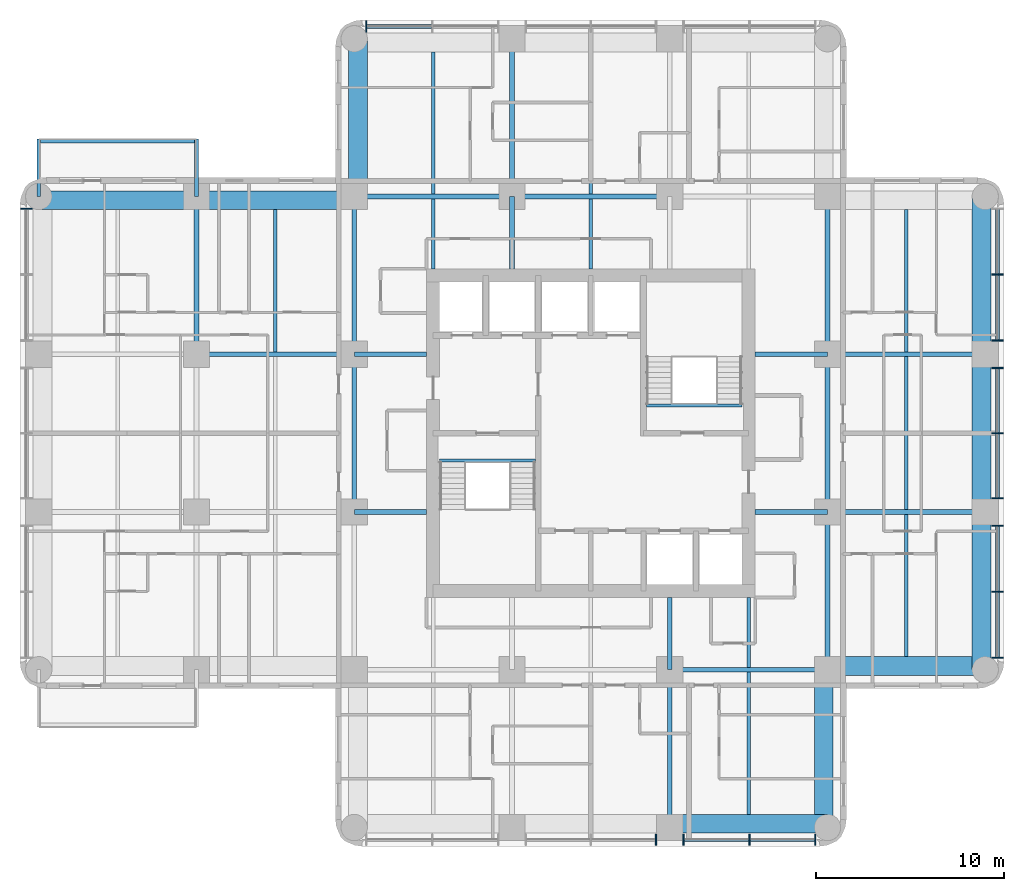
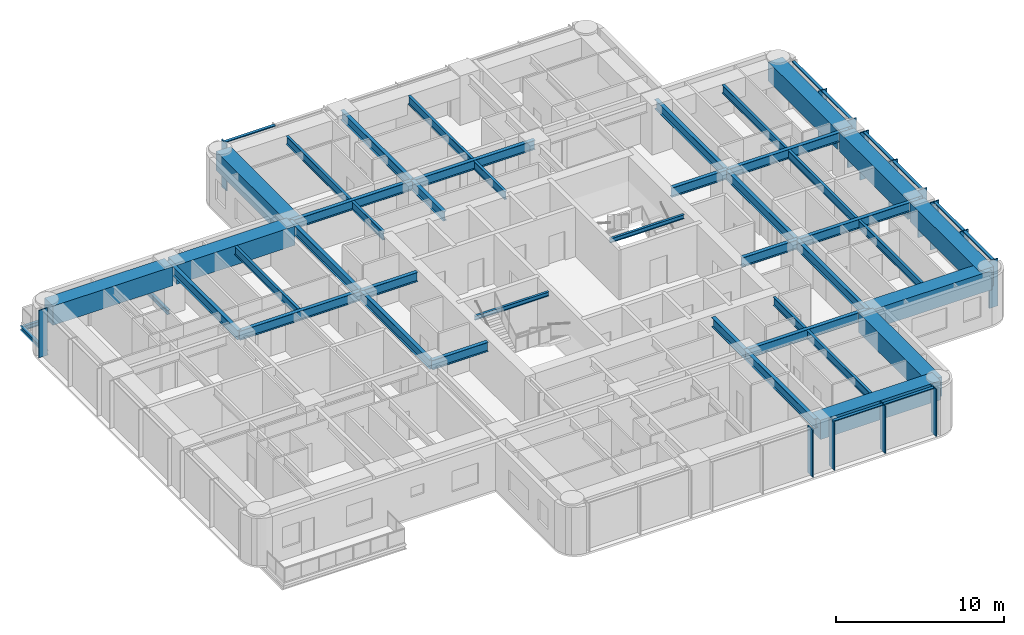
# One storey, part 2 of 11: 44 beams, 23 members, 4 elements without a shape of their own.
"""IFC4 building model written with IfcOpenShell, lengths in metres."""

from ifc_helpers import new_model, si_unit, direction, frame, origin, origin_2d, place, context, subcontext, project, spatial, rectangle, i_section, extrude, material, material_profile, profile_set, type_object, element, aggregate, save


model = new_model("IFC4")

# Units and contexts
model_context = context("Model", 3, precision=1e-05, world=origin(), true_north=direction((0.0, 1.0)))
body_context = subcontext(model_context, "Body", "Model", "MODEL_VIEW")
ifc_project = project(units=[si_unit("LENGTHUNIT", "METRE"), si_unit("AREAUNIT", "SQUARE_METRE"), si_unit("VOLUMEUNIT", "CUBIC_METRE"), si_unit("PLANEANGLEUNIT", "RADIAN"), si_unit("MASSUNIT", "GRAM", prefix="KILO")], contexts=[model_context])

# Site, building, storey
site_placement = place(None, origin())
site = spatial("IfcSite", under=ifc_project, at=site_placement, CompositionType="ELEMENT")
building_placement = place(site_placement, origin())
building = spatial("IfcBuilding", under=site, at=building_placement, Name="Torre Alcanfor", CompositionType="ELEMENT")
storey_placement = place(building_placement, frame((0.0, 0.0, 201.300048828125)))
storey = spatial("IfcBuildingStorey", under=building, at=storey_placement, Name="L52", CompositionType="ELEMENT", Elevation=201.300048828125)

# Beams
ifc_material_1 = material(Name="Steel ASTM A992 Grade 50", Category="steel")
ifc_material_profile_1 = material_profile(ifc_material_1, i_section(OverallWidth=0.205322265625, OverallDepth=0.309814453125, WebThickness=0.00927734375, FlangeThickness=0.016357421875, at=origin_2d()), Name="W12x50")
ifc_profile_set_1 = profile_set([ifc_material_profile_1], Name="Steel ASTM A992 Grade 50")
beam_type_1 = type_object("IfcBeamType", Name="Balcony cantilever beam W12x50", PredefinedType="BEAM", material=ifc_profile_set_1)
for number, where, z_axis, x_axis, name in (
    (1, (8.39990234375, 42.0, -0.35498046875), (0.0, 1.0, 0.0), (-1.0, 0.0, 0.0), "Balcony cantilever beam L52-W2 1"),
    (2, (0.0, 42.0, -0.35498046875), (0.0, 1.0, 0.0), (-1.0, 0.0, 0.0), "Balcony cantilever beam L52-W2 2"),
):
    element("IfcBeam", number, at=place(storey_placement, frame(where, z_axis=z_axis, x_axis=x_axis)), inside=storey, type_object=beam_type_1, Name=name, PredefinedType="BEAM", context=body_context, shape_type="SweptSolid", body=[
        extrude(i_section(OverallWidth=0.205322265625, OverallDepth=0.309814453125, WebThickness=0.00927734375, FlangeThickness=0.016357421875, at=origin_2d()), origin(), (0.0, 0.0, 1.0), 3.050048828125),
    ])
ifc_material_2 = material(Name="Steel ASTM A992 Grade 50", Category="steel")
ifc_material_profile_2 = material_profile(ifc_material_2, i_section(OverallWidth=0.203369140625, OverallDepth=0.30224609375, WebThickness=0.007568359375, FlangeThickness=0.01318359375, at=origin_2d()), Name="W12x40")
ifc_profile_set_2 = profile_set([ifc_material_profile_2], Name="Steel ASTM A992 Grade 50")
beam_type_2 = type_object("IfcBeamType", Name="Balcony edge trimmer W12x40", PredefinedType="BEAM", material=ifc_profile_set_2)
beam_1_placement = place(storey_placement, frame((8.39990234375, 44.9482421875, -0.35107421875), z_axis=(-1.0, 0.0, 0.0), x_axis=(0.0, -1.0, 0.0)))
element("IfcBeam", 3, at=beam_1_placement, inside=storey, type_object=beam_type_2, Name="Balcony edge trimmer L52-W2", PredefinedType="BEAM", context=body_context, shape_type="SweptSolid", body=[
    extrude(i_section(OverallWidth=0.203369140625, OverallDepth=0.30224609375, WebThickness=0.007568359375, FlangeThickness=0.01318359375, at=origin_2d()), origin(), (0.0, 0.0, 1.0), 8.39990234375),
])

# Curtain wall, member
ifc_material_3 = material(Name="Aluminium and glass", Category="aluminium")
curtain_wall_type = type_object("IfcCurtainWallType", Name="CW-A unitised apartment glazing with vertical FIN", PredefinedType="NOTDEFINED", material=ifc_material_3)
curtain_wall_1_placement = place(storey_placement, origin())
curtain_wall_1 = element("IfcCurtainWall", 4, at=curtain_wall_1_placement, inside=storey, type_object=curtain_wall_type, Name="Curtain wall CW-A L52 2", PredefinedType="NOTDEFINED")
ifc_material_4 = material(Name="Bronze anodised aluminium", Category="aluminium")
ifc_material_profile_3 = material_profile(ifc_material_4, rectangle(XDim=0.60009765625, YDim=0.06494140625, at=origin_2d()), Name="CW-A mullion 65x600")
ifc_profile_set_3 = profile_set([ifc_material_profile_3], Name="Bronze anodised aluminium")
member_type_1 = type_object("IfcMemberType", Name="CW-A mullion with vertical FIN 65x600", PredefinedType="MULLION", material=ifc_profile_set_3)
member_1_placement = place(storey_placement, frame((-0.64990234375, 41.35546875, 0.0), z_axis=(0.0, 0.0, 1.0), x_axis=(1.0, 0.0, 0.0)))
member_1 = element("IfcMember", 5, at=member_1_placement, type_object=member_type_1, Name="CW-A mullion 1.1", PredefinedType="MULLION", context=body_context, shape_type="SweptSolid", body=[
    extrude(rectangle(XDim=0.60009765625, YDim=0.06494140625, at=origin_2d()), origin(), (0.0, 0.0, 1.0), 3.449951171875),
])
aggregate(curtain_wall_1, [member_1])

# Curtain wall, members
curtain_wall_2_placement = place(storey_placement, origin())
curtain_wall_2 = element("IfcCurtainWall", 6, at=curtain_wall_2_placement, inside=storey, type_object=curtain_wall_type, Name="Curtain wall CW-A L52 5", PredefinedType="NOTDEFINED")
member_2_placement = place(storey_placement, frame((32.862548828125, 7.75, 0.0), z_axis=(0.0, 0.0, 1.0), x_axis=(0.0, 1.0, 0.0)))
member_2 = element("IfcMember", 7, at=member_2_placement, type_object=member_type_1, Name="CW-A mullion 2.3", PredefinedType="MULLION", context=body_context, shape_type="SweptSolid", body=[
    extrude(rectangle(XDim=0.60009765625, YDim=0.06494140625, at=origin_2d()), origin(), (0.0, 0.0, 1.0), 3.449951171875),
])
member_3_placement = place(storey_placement, frame((34.33740234375, 7.75, 0.0), z_axis=(0.0, 0.0, 1.0), x_axis=(0.0, 1.0, 0.0)))
member_3 = element("IfcMember", 8, at=member_3_placement, type_object=member_type_1, Name="CW-A mullion 3.1", PredefinedType="MULLION", context=body_context, shape_type="SweptSolid", body=[
    extrude(rectangle(XDim=0.60009765625, YDim=0.06494140625, at=origin_2d()), origin(), (0.0, 0.0, 1.0), 3.449951171875),
])
member_4_placement = place(storey_placement, frame((37.846435546875, 7.75, 0.0), z_axis=(0.0, 0.0, 1.0), x_axis=(0.0, 1.0, 0.0)))
member_4 = element("IfcMember", 9, at=member_4_placement, type_object=member_type_1, Name="CW-A mullion 3.2", PredefinedType="MULLION", context=body_context, shape_type="SweptSolid", body=[
    extrude(rectangle(XDim=0.60009765625, YDim=0.06494140625, at=origin_2d()), origin(), (0.0, 0.0, 1.0), 3.449951171875),
])
member_5_placement = place(storey_placement, frame((41.35546875, 7.75, 0.0), z_axis=(0.0, 0.0, 1.0), x_axis=(0.0, 1.0, 0.0)))
member_5 = element("IfcMember", 10, at=member_5_placement, type_object=member_type_1, Name="CW-A mullion 3.3", PredefinedType="MULLION", context=body_context, shape_type="SweptSolid", body=[
    extrude(rectangle(XDim=0.60009765625, YDim=0.06494140625, at=origin_2d()), origin(), (0.0, 0.0, 1.0), 3.449951171875),
])

curtain_wall_3_placement = place(storey_placement, origin())
curtain_wall_3 = element("IfcCurtainWall", 11, at=curtain_wall_3_placement, inside=storey, type_object=curtain_wall_type, Name="Curtain wall CW-A L52 8", PredefinedType="NOTDEFINED")
member_6_placement = place(storey_placement, frame((51.050048828125, 17.444580078125, 0.0), z_axis=(0.0, 0.0, 1.0), x_axis=(-1.0, 0.0, 0.0)))
member_6 = element("IfcMember", 12, at=member_6_placement, type_object=member_type_1, Name="CW-A mullion 1.1", PredefinedType="MULLION", context=body_context, shape_type="SweptSolid", body=[
    extrude(rectangle(XDim=0.60009765625, YDim=0.06494140625, at=origin_2d()), origin(), (0.0, 0.0, 1.0), 3.449951171875),
])
member_7_placement = place(storey_placement, frame((51.050048828125, 20.95361328125, 0.0), z_axis=(0.0, 0.0, 1.0), x_axis=(-1.0, 0.0, 0.0)))
member_7 = element("IfcMember", 13, at=member_7_placement, type_object=member_type_1, Name="CW-A mullion 1.2", PredefinedType="MULLION", context=body_context, shape_type="SweptSolid", body=[
    extrude(rectangle(XDim=0.60009765625, YDim=0.06494140625, at=origin_2d()), origin(), (0.0, 0.0, 1.0), 3.449951171875),
])
member_8_placement = place(storey_placement, frame((51.050048828125, 24.46240234375, 0.0), z_axis=(0.0, 0.0, 1.0), x_axis=(-1.0, 0.0, 0.0)))
member_8 = element("IfcMember", 14, at=member_8_placement, type_object=member_type_1, Name="CW-A mullion 1.3", PredefinedType="MULLION", context=body_context, shape_type="SweptSolid", body=[
    extrude(rectangle(XDim=0.60009765625, YDim=0.06494140625, at=origin_2d()), origin(), (0.0, 0.0, 1.0), 3.449951171875),
])
member_9_placement = place(storey_placement, frame((51.050048828125, 25.9375, 0.0), z_axis=(0.0, 0.0, 1.0), x_axis=(-1.0, 0.0, 0.0)))
member_9 = element("IfcMember", 15, at=member_9_placement, type_object=member_type_1, Name="CW-A mullion 2.1", PredefinedType="MULLION", context=body_context, shape_type="SweptSolid", body=[
    extrude(rectangle(XDim=0.60009765625, YDim=0.06494140625, at=origin_2d()), origin(), (0.0, 0.0, 1.0), 3.449951171875),
])
member_10_placement = place(storey_placement, frame((51.050048828125, 29.39990234375, 0.0), z_axis=(0.0, 0.0, 1.0), x_axis=(-1.0, 0.0, 0.0)))
member_10 = element("IfcMember", 16, at=member_10_placement, type_object=member_type_1, Name="CW-A mullion 2.2", PredefinedType="MULLION", context=body_context, shape_type="SweptSolid", body=[
    extrude(rectangle(XDim=0.60009765625, YDim=0.06494140625, at=origin_2d()), origin(), (0.0, 0.0, 1.0), 3.449951171875),
])
member_11_placement = place(storey_placement, frame((51.050048828125, 32.862548828125, 0.0), z_axis=(0.0, 0.0, 1.0), x_axis=(-1.0, 0.0, 0.0)))
member_11 = element("IfcMember", 17, at=member_11_placement, type_object=member_type_1, Name="CW-A mullion 2.3", PredefinedType="MULLION", context=body_context, shape_type="SweptSolid", body=[
    extrude(rectangle(XDim=0.60009765625, YDim=0.06494140625, at=origin_2d()), origin(), (0.0, 0.0, 1.0), 3.449951171875),
])
member_12_placement = place(storey_placement, frame((51.050048828125, 34.33740234375, 0.0), z_axis=(0.0, 0.0, 1.0), x_axis=(-1.0, 0.0, 0.0)))
member_12 = element("IfcMember", 18, at=member_12_placement, type_object=member_type_1, Name="CW-A mullion 3.1", PredefinedType="MULLION", context=body_context, shape_type="SweptSolid", body=[
    extrude(rectangle(XDim=0.60009765625, YDim=0.06494140625, at=origin_2d()), origin(), (0.0, 0.0, 1.0), 3.449951171875),
])
member_13_placement = place(storey_placement, frame((51.050048828125, 37.846435546875, 0.0), z_axis=(0.0, 0.0, 1.0), x_axis=(-1.0, 0.0, 0.0)))
member_13 = element("IfcMember", 19, at=member_13_placement, type_object=member_type_1, Name="CW-A mullion 3.2", PredefinedType="MULLION", context=body_context, shape_type="SweptSolid", body=[
    extrude(rectangle(XDim=0.60009765625, YDim=0.06494140625, at=origin_2d()), origin(), (0.0, 0.0, 1.0), 3.449951171875),
])

# Curtain wall, member
curtain_wall_4_placement = place(storey_placement, origin())
curtain_wall_4 = element("IfcCurtainWall", 20, at=curtain_wall_4_placement, inside=storey, type_object=curtain_wall_type, Name="Curtain wall CW-A L52 11", PredefinedType="NOTDEFINED")
member_14_placement = place(storey_placement, frame((17.444580078125, 51.050048828125, 0.0), z_axis=(0.0, 0.0, 1.0), x_axis=(0.0, -1.0, 0.0)))
member_14 = element("IfcMember", 21, at=member_14_placement, type_object=member_type_1, Name="CW-A mullion 3.3", PredefinedType="MULLION", context=body_context, shape_type="SweptSolid", body=[
    extrude(rectangle(XDim=0.60009765625, YDim=0.06494140625, at=origin_2d()), origin(), (0.0, 0.0, 1.0), 3.449951171875),
])

# Member
ifc_material_5 = material(Name="Extruded aluminium", Category="aluminium")
ifc_material_profile_4 = material_profile(ifc_material_5, rectangle(XDim=0.199951171875, YDim=0.06494140625, at=origin_2d()), Name="CW-A transom 200x65")
ifc_profile_set_4 = profile_set([ifc_material_profile_4], Name="Extruded aluminium")
member_type_2 = type_object("IfcMemberType", Name="CW-A transom 65x200", PredefinedType="USERDEFINED", material=ifc_profile_set_4)
member_15_placement = place(storey_placement, frame((34.3701171875, 7.75, 3.41748046875), z_axis=(1.0, 0.0, 0.0), x_axis=(0.0, 1.0, 0.0)))
member_15 = element("IfcMember", 22, at=member_15_placement, type_object=member_type_2, Name="CW-A transom 3.1.2", ObjectType="TRANSOM", PredefinedType="USERDEFINED", context=body_context, shape_type="SweptSolid", body=[
    extrude(rectangle(XDim=0.199951171875, YDim=0.06494140625, at=origin_2d()), origin(), (0.0, 0.0, 1.0), 3.44384765625),
])

member_16_placement = place(storey_placement, frame((37.87890625, 7.75, 3.41748046875), z_axis=(1.0, 0.0, 0.0), x_axis=(0.0, 1.0, 0.0)))
member_16 = element("IfcMember", 23, at=member_16_placement, type_object=member_type_2, Name="CW-A transom 3.2.2", ObjectType="TRANSOM", PredefinedType="USERDEFINED", context=body_context, shape_type="SweptSolid", body=[
    extrude(rectangle(XDim=0.199951171875, YDim=0.06494140625, at=origin_2d()), origin(), (0.0, 0.0, 1.0), 3.444091796875),
])

aggregate(curtain_wall_2, [member_2, member_3, member_4, member_5, member_15, member_16])

member_17_placement = place(storey_placement, frame((51.050048828125, 17.47705078125, 3.41748046875), z_axis=(0.0, 1.0, 0.0), x_axis=(-1.0, 0.0, 0.0)))
member_17 = element("IfcMember", 24, at=member_17_placement, type_object=member_type_2, Name="CW-A transom 1.1.2", ObjectType="TRANSOM", PredefinedType="USERDEFINED", context=body_context, shape_type="SweptSolid", body=[
    extrude(rectangle(XDim=0.199951171875, YDim=0.06494140625, at=origin_2d()), origin(), (0.0, 0.0, 1.0), 3.44384765625),
])

member_18_placement = place(storey_placement, frame((51.050048828125, 20.986083984375, 3.41748046875), z_axis=(0.0, 1.0, 0.0), x_axis=(-1.0, 0.0, 0.0)))
member_18 = element("IfcMember", 25, at=member_18_placement, type_object=member_type_2, Name="CW-A transom 1.2.2", ObjectType="TRANSOM", PredefinedType="USERDEFINED", context=body_context, shape_type="SweptSolid", body=[
    extrude(rectangle(XDim=0.199951171875, YDim=0.06494140625, at=origin_2d()), origin(), (0.0, 0.0, 1.0), 3.44384765625),
])

member_19_placement = place(storey_placement, frame((51.050048828125, 25.969970703125, 3.41748046875), z_axis=(0.0, 1.0, 0.0), x_axis=(-1.0, 0.0, 0.0)))
member_19 = element("IfcMember", 26, at=member_19_placement, type_object=member_type_2, Name="CW-A transom 2.1.2", ObjectType="TRANSOM", PredefinedType="USERDEFINED", context=body_context, shape_type="SweptSolid", body=[
    extrude(rectangle(XDim=0.199951171875, YDim=0.06494140625, at=origin_2d()), origin(), (0.0, 0.0, 1.0), 3.3974609375),
])

member_20_placement = place(storey_placement, frame((51.050048828125, 29.4326171875, 3.41748046875), z_axis=(0.0, 1.0, 0.0), x_axis=(-1.0, 0.0, 0.0)))
member_20 = element("IfcMember", 27, at=member_20_placement, type_object=member_type_2, Name="CW-A transom 2.2.2", ObjectType="TRANSOM", PredefinedType="USERDEFINED", context=body_context, shape_type="SweptSolid", body=[
    extrude(rectangle(XDim=0.199951171875, YDim=0.06494140625, at=origin_2d()), origin(), (0.0, 0.0, 1.0), 3.3974609375),
])

member_21_placement = place(storey_placement, frame((51.050048828125, 34.3701171875, 3.41748046875), z_axis=(0.0, 1.0, 0.0), x_axis=(-1.0, 0.0, 0.0)))
member_21 = element("IfcMember", 28, at=member_21_placement, type_object=member_type_2, Name="CW-A transom 3.1.2", ObjectType="TRANSOM", PredefinedType="USERDEFINED", context=body_context, shape_type="SweptSolid", body=[
    extrude(rectangle(XDim=0.199951171875, YDim=0.06494140625, at=origin_2d()), origin(), (0.0, 0.0, 1.0), 3.44384765625),
])

member_22_placement = place(storey_placement, frame((51.050048828125, 37.87890625, 3.41748046875), z_axis=(0.0, 1.0, 0.0), x_axis=(-1.0, 0.0, 0.0)))
member_22 = element("IfcMember", 29, at=member_22_placement, type_object=member_type_2, Name="CW-A transom 3.2.2", ObjectType="TRANSOM", PredefinedType="USERDEFINED", context=body_context, shape_type="SweptSolid", body=[
    extrude(rectangle(XDim=0.199951171875, YDim=0.06494140625, at=origin_2d()), origin(), (0.0, 0.0, 1.0), 3.444091796875),
])

aggregate(curtain_wall_3, [member_6, member_7, member_8, member_17, member_18, member_9, member_10, member_11, member_19, member_20, member_12, member_13, member_21, member_22])

member_23_placement = place(storey_placement, frame((20.9208984375, 51.050048828125, 3.41748046875), z_axis=(-1.0, 0.0, 0.0), x_axis=(0.0, -1.0, 0.0)))
member_23 = element("IfcMember", 30, at=member_23_placement, type_object=member_type_2, Name="CW-A transom 3.2.2", ObjectType="TRANSOM", PredefinedType="USERDEFINED", context=body_context, shape_type="SweptSolid", body=[
    extrude(rectangle(XDim=0.199951171875, YDim=0.06494140625, at=origin_2d()), origin(), (0.0, 0.0, 1.0), 3.44384765625),
])

aggregate(curtain_wall_4, [member_14, member_23])

# Beams
ifc_material_6 = material(Name="Steel ASTM A992 Grade 50", Category="steel")
ifc_material_profile_5 = material_profile(ifc_material_6, i_section(OverallWidth=0.25390625, OverallDepth=0.683349609375, WebThickness=0.012451171875, FlangeThickness=0.01904296875, at=origin_2d()), Name="W27x94")
ifc_profile_set_5 = profile_set([ifc_material_profile_5], Name="Steel ASTM A992 Grade 50")
beam_type_3 = type_object("IfcBeamType", Name="Girder W27x94", PredefinedType="BEAM", material=ifc_profile_set_5)
for number, where, z_axis, x_axis, name in (
    (31, (33.60009765625, 16.800048828125, 3.1083984375), (1.0, 0.0, 0.0), (0.0, 1.0, 0.0), "Beam 5E-6E under L53"),
    (32, (42.0, 25.199951171875, 3.1083984375), (1.0, 0.0, 0.0), (0.0, 1.0, 0.0), "Beam 6F-7F under L53"),
):
    element("IfcBeam", number, at=place(storey_placement, frame(where, z_axis=z_axis, x_axis=x_axis)), inside=storey, type_object=beam_type_3, Name=name, PredefinedType="BEAM", context=body_context, shape_type="SweptSolid", body=[
        extrude(i_section(OverallWidth=0.25390625, OverallDepth=0.683349609375, WebThickness=0.012451171875, FlangeThickness=0.01904296875, at=origin_2d()), origin(), (0.0, 0.0, 1.0), 8.39990234375),
    ])
beam_2_placement = place(storey_placement, frame((8.39990234375, 33.60009765625, 3.1083984375), z_axis=(1.0, 0.0, 0.0), x_axis=(0.0, 1.0, 0.0)))
element("IfcBeam", 33, at=beam_2_placement, inside=storey, type_object=beam_type_3, Name="Beam 2G-3G under L53", PredefinedType="BEAM", context=body_context, shape_type="SweptSolid", body=[
    extrude(i_section(OverallWidth=0.25390625, OverallDepth=0.683349609375, WebThickness=0.012451171875, FlangeThickness=0.01904296875, at=origin_2d()), origin(), (0.0, 0.0, 1.0), 8.400146484375),
])
for number, where, z_axis, x_axis, name in (
    (34, (42.0, 33.60009765625, 3.1083984375), (1.0, 0.0, 0.0), (0.0, 1.0, 0.0), "Beam 6G-7G under L53"),
    (35, (16.800048828125, 42.0, 3.1083984375), (1.0, 0.0, 0.0), (0.0, 1.0, 0.0), "Beam 3H-4H under L53"),
):
    element("IfcBeam", number, at=place(storey_placement, frame(where, z_axis=z_axis, x_axis=x_axis)), inside=storey, type_object=beam_type_3, Name=name, PredefinedType="BEAM", context=body_context, shape_type="SweptSolid", body=[
        extrude(i_section(OverallWidth=0.25390625, OverallDepth=0.683349609375, WebThickness=0.012451171875, FlangeThickness=0.01904296875, at=origin_2d()), origin(), (0.0, 0.0, 1.0), 8.39990234375),
    ])
beam_3_placement = place(storey_placement, frame((25.199951171875, 42.0, 3.1083984375), z_axis=(1.0, 0.0, 0.0), x_axis=(0.0, 1.0, 0.0)))
element("IfcBeam", 36, at=beam_3_placement, inside=storey, type_object=beam_type_3, Name="Beam 4H-5H under L53", PredefinedType="BEAM", context=body_context, shape_type="SweptSolid", body=[
    extrude(i_section(OverallWidth=0.25390625, OverallDepth=0.683349609375, WebThickness=0.012451171875, FlangeThickness=0.01904296875, at=origin_2d()), origin(), (0.0, 0.0, 1.0), 8.400146484375),
])
beam_4_placement = place(storey_placement, frame((8.39990234375, 33.60009765625, 3.1083984375), z_axis=(0.0, 1.0, 0.0), x_axis=(-1.0, 0.0, 0.0)))
element("IfcBeam", 37, at=beam_4_placement, inside=storey, type_object=beam_type_3, Name="Beam 2G-2H under L53", PredefinedType="BEAM", context=body_context, shape_type="SweptSolid", body=[
    extrude(i_section(OverallWidth=0.25390625, OverallDepth=0.683349609375, WebThickness=0.012451171875, FlangeThickness=0.01904296875, at=origin_2d()), origin(), (0.0, 0.0, 1.0), 8.39990234375),
])
beam_5_placement = place(storey_placement, frame((16.800048828125, 25.199951171875, 3.1083984375), z_axis=(0.0, 1.0, 0.0), x_axis=(-1.0, 0.0, 0.0)))
element("IfcBeam", 38, at=beam_5_placement, inside=storey, type_object=beam_type_3, Name="Beam 3F-3G under L53", PredefinedType="BEAM", context=body_context, shape_type="SweptSolid", body=[
    extrude(i_section(OverallWidth=0.25390625, OverallDepth=0.683349609375, WebThickness=0.012451171875, FlangeThickness=0.01904296875, at=origin_2d()), origin(), (0.0, 0.0, 1.0), 8.400146484375),
])
for number, where, z_axis, x_axis, name in (
    (39, (16.800048828125, 33.60009765625, 3.1083984375), (0.0, 1.0, 0.0), (-1.0, 0.0, 0.0), "Beam 3G-3H under L53"),
    (40, (25.199951171875, 42.0, 3.1083984375), (0.0, 1.0, 0.0), (-1.0, 0.0, 0.0), "Beam 4H-4J under L53"),
):
    element("IfcBeam", number, at=place(storey_placement, frame(where, z_axis=z_axis, x_axis=x_axis)), inside=storey, type_object=beam_type_3, Name=name, PredefinedType="BEAM", context=body_context, shape_type="SweptSolid", body=[
        extrude(i_section(OverallWidth=0.25390625, OverallDepth=0.683349609375, WebThickness=0.012451171875, FlangeThickness=0.01904296875, at=origin_2d()), origin(), (0.0, 0.0, 1.0), 8.39990234375),
    ])
beam_6_placement = place(storey_placement, frame((33.60009765625, 8.39990234375, 3.1083984375), z_axis=(0.0, 1.0, 0.0), x_axis=(-1.0, 0.0, 0.0)))
element("IfcBeam", 41, at=beam_6_placement, inside=storey, type_object=beam_type_3, Name="Beam 5D-5E under L53", PredefinedType="BEAM", context=body_context, shape_type="SweptSolid", body=[
    extrude(i_section(OverallWidth=0.25390625, OverallDepth=0.683349609375, WebThickness=0.012451171875, FlangeThickness=0.01904296875, at=origin_2d()), origin(), (0.0, 0.0, 1.0), 8.400146484375),
])
beam_7_placement = place(storey_placement, frame((42.0, 16.800048828125, 3.1083984375), z_axis=(0.0, 1.0, 0.0), x_axis=(-1.0, 0.0, 0.0)))
element("IfcBeam", 42, at=beam_7_placement, inside=storey, type_object=beam_type_3, Name="Beam 6E-6F under L53", PredefinedType="BEAM", context=body_context, shape_type="SweptSolid", body=[
    extrude(i_section(OverallWidth=0.25390625, OverallDepth=0.683349609375, WebThickness=0.012451171875, FlangeThickness=0.01904296875, at=origin_2d()), origin(), (0.0, 0.0, 1.0), 8.39990234375),
])
beam_8_placement = place(storey_placement, frame((42.0, 25.199951171875, 3.1083984375), z_axis=(0.0, 1.0, 0.0), x_axis=(-1.0, 0.0, 0.0)))
element("IfcBeam", 43, at=beam_8_placement, inside=storey, type_object=beam_type_3, Name="Beam 6F-6G under L53", PredefinedType="BEAM", context=body_context, shape_type="SweptSolid", body=[
    extrude(i_section(OverallWidth=0.25390625, OverallDepth=0.683349609375, WebThickness=0.012451171875, FlangeThickness=0.01904296875, at=origin_2d()), origin(), (0.0, 0.0, 1.0), 8.400146484375),
])
beam_9_placement = place(storey_placement, frame((42.0, 33.60009765625, 3.1083984375), z_axis=(0.0, 1.0, 0.0), x_axis=(-1.0, 0.0, 0.0)))
element("IfcBeam", 44, at=beam_9_placement, inside=storey, type_object=beam_type_3, Name="Beam 6G-6H under L53", PredefinedType="BEAM", context=body_context, shape_type="SweptSolid", body=[
    extrude(i_section(OverallWidth=0.25390625, OverallDepth=0.683349609375, WebThickness=0.012451171875, FlangeThickness=0.01904296875, at=origin_2d()), origin(), (0.0, 0.0, 1.0), 8.39990234375),
])
ifc_material_7 = material(Name="Steel ASTM A992 Grade 50", Category="steel")
ifc_material_profile_6 = material_profile(ifc_material_7, i_section(OverallWidth=0.25390625, OverallDepth=0.683349609375, WebThickness=0.012451171875, FlangeThickness=0.01904296875, at=origin_2d()), Name="W27x94")
ifc_profile_set_6 = profile_set([ifc_material_profile_6], Name="Steel ASTM A992 Grade 50")
beam_type_4 = type_object("IfcBeamType", Name="Girder, part bay W27x94", PredefinedType="BEAM", material=ifc_profile_set_6)
beam_10_placement = place(storey_placement, frame((25.199951171875, 42.0, 3.1083984375), z_axis=(0.0, -1.0, 0.0), x_axis=(1.0, 0.0, 0.0)))
element("IfcBeam", 45, at=beam_10_placement, inside=storey, type_object=beam_type_4, Name="Beam 4H-438_15 under L53", PredefinedType="BEAM", context=body_context, shape_type="SweptSolid", body=[
    extrude(i_section(OverallWidth=0.25390625, OverallDepth=0.683349609375, WebThickness=0.012451171875, FlangeThickness=0.01904296875, at=origin_2d()), origin(), (0.0, 0.0, 1.0), 3.85009765625),
])
for number, where, z_axis, x_axis, name in (
    (46, (33.60009765625, 16.800048828125, 3.1083984375), (0.0, 1.0, 0.0), (-1.0, 0.0, 0.0), "Beam 5E-520_65 under L53"),
    (47, (16.800048828125, 25.199951171875, 3.1083984375), (1.0, 0.0, 0.0), (0.0, 1.0, 0.0), "Beam 3F-20_65F under L53"),
):
    element("IfcBeam", number, at=place(storey_placement, frame(where, z_axis=z_axis, x_axis=x_axis)), inside=storey, type_object=beam_type_4, Name=name, PredefinedType="BEAM", context=body_context, shape_type="SweptSolid", body=[
        extrude(i_section(OverallWidth=0.25390625, OverallDepth=0.683349609375, WebThickness=0.012451171875, FlangeThickness=0.01904296875, at=origin_2d()), origin(), (0.0, 0.0, 1.0), 3.849853515625),
    ])
beam_11_placement = place(storey_placement, frame((42.0, 25.199951171875, 3.1083984375), z_axis=(-1.0, 0.0, 0.0), x_axis=(0.0, -1.0, 0.0)))
element("IfcBeam", 48, at=beam_11_placement, inside=storey, type_object=beam_type_4, Name="Beam 6F-38_15F under L53", PredefinedType="BEAM", context=body_context, shape_type="SweptSolid", body=[
    extrude(i_section(OverallWidth=0.25390625, OverallDepth=0.683349609375, WebThickness=0.012451171875, FlangeThickness=0.01904296875, at=origin_2d()), origin(), (0.0, 0.0, 1.0), 3.85009765625),
])
beam_12_placement = place(storey_placement, frame((16.800048828125, 33.60009765625, 3.1083984375), z_axis=(1.0, 0.0, 0.0), x_axis=(0.0, 1.0, 0.0)))
element("IfcBeam", 49, at=beam_12_placement, inside=storey, type_object=beam_type_4, Name="Beam 3G-20_65G under L53", PredefinedType="BEAM", context=body_context, shape_type="SweptSolid", body=[
    extrude(i_section(OverallWidth=0.25390625, OverallDepth=0.683349609375, WebThickness=0.012451171875, FlangeThickness=0.01904296875, at=origin_2d()), origin(), (0.0, 0.0, 1.0), 3.849853515625),
])
beam_13_placement = place(storey_placement, frame((42.0, 33.60009765625, 3.1083984375), z_axis=(-1.0, 0.0, 0.0), x_axis=(0.0, -1.0, 0.0)))
element("IfcBeam", 50, at=beam_13_placement, inside=storey, type_object=beam_type_4, Name="Beam 6G-38_15G under L53", PredefinedType="BEAM", context=body_context, shape_type="SweptSolid", body=[
    extrude(i_section(OverallWidth=0.25390625, OverallDepth=0.683349609375, WebThickness=0.012451171875, FlangeThickness=0.01904296875, at=origin_2d()), origin(), (0.0, 0.0, 1.0), 3.85009765625),
])
ifc_material_8 = material(Name="Concrete f'c 70 MPa", Category="concrete")
ifc_material_profile_7 = material_profile(ifc_material_8, rectangle(XDim=1.0, YDim=1.39990234375, at=origin_2d()), Name="1000x1400")
ifc_profile_set_7 = profile_set([ifc_material_profile_7], Name="Concrete f'c 70 MPa")
beam_type_5 = type_object("IfcBeamType", Name="RC perimeter beam 1000x1400", PredefinedType="BEAM", material=ifc_profile_set_7)
for number, where, z_axis, x_axis, name in (
    (51, (33.72705078125, 8.60009765625, 2.75), (1.0, 0.0, 0.0), (0.0, 1.0, 0.0), "Beam 5D-6D under L53"),
    (52, (42.126953125, 17.0, 2.75), (1.0, 0.0, 0.0), (0.0, 1.0, 0.0), "Beam 6E-7E under L53"),
    (53, (0.0, 41.800048828125, 2.75), (1.0, 0.0, 0.0), (0.0, 1.0, 0.0), "Beam 1H-2H under L53"),
):
    element("IfcBeam", number, at=place(storey_placement, frame(where, z_axis=z_axis, x_axis=x_axis)), inside=storey, type_object=beam_type_5, Name=name, PredefinedType="BEAM", context=body_context, shape_type="SweptSolid", body=[
        extrude(rectangle(XDim=1.0, YDim=1.39990234375, at=origin_2d()), origin(), (0.0, 0.0, 1.0), 8.27294921875),
    ])
beam_14_placement = place(storey_placement, frame((8.527099609375, 41.800048828125, 2.75), z_axis=(1.0, 0.0, 0.0), x_axis=(0.0, 1.0, 0.0)))
element("IfcBeam", 54, at=beam_14_placement, inside=storey, type_object=beam_type_5, Name="Beam 2H-3H under L53", PredefinedType="BEAM", context=body_context, shape_type="SweptSolid", body=[
    extrude(rectangle(XDim=1.0, YDim=1.39990234375, at=origin_2d()), origin(), (0.0, 0.0, 1.0), 8.14599609375),
])
beam_15_placement = place(storey_placement, frame((17.0, 42.126953125, 2.75), z_axis=(0.0, 1.0, 0.0), x_axis=(-1.0, 0.0, 0.0)))
element("IfcBeam", 55, at=beam_15_placement, inside=storey, type_object=beam_type_5, Name="Beam 3H-3J under L53", PredefinedType="BEAM", context=body_context, shape_type="SweptSolid", body=[
    extrude(rectangle(XDim=1.0, YDim=1.39990234375, at=origin_2d()), origin(), (0.0, 0.0, 1.0), 8.27294921875),
])
beam_16_placement = place(storey_placement, frame((41.800048828125, 8.39990234375, 2.75), z_axis=(0.0, 1.0, 0.0), x_axis=(-1.0, 0.0, 0.0)))
element("IfcBeam", 56, at=beam_16_placement, inside=storey, type_object=beam_type_5, Name="Beam 6D-6E under L53", PredefinedType="BEAM", context=body_context, shape_type="SweptSolid", body=[
    extrude(rectangle(XDim=1.0, YDim=1.39990234375, at=origin_2d()), origin(), (0.0, 0.0, 1.0), 8.273193359375),
])
beam_17_placement = place(storey_placement, frame((50.199951171875, 16.800048828125, 2.75), z_axis=(0.0, 1.0, 0.0), x_axis=(-1.0, 0.0, 0.0)))
element("IfcBeam", 57, at=beam_17_placement, inside=storey, type_object=beam_type_5, Name="Beam 7E-7F under L53", PredefinedType="BEAM", context=body_context, shape_type="SweptSolid", body=[
    extrude(rectangle(XDim=1.0, YDim=1.39990234375, at=origin_2d()), origin(), (0.0, 0.0, 1.0), 8.27294921875),
])
beam_18_placement = place(storey_placement, frame((50.199951171875, 25.326904296875, 2.75), z_axis=(0.0, 1.0, 0.0), x_axis=(-1.0, 0.0, 0.0)))
element("IfcBeam", 58, at=beam_18_placement, inside=storey, type_object=beam_type_5, Name="Beam 7F-7G under L53", PredefinedType="BEAM", context=body_context, shape_type="SweptSolid", body=[
    extrude(rectangle(XDim=1.0, YDim=1.39990234375, at=origin_2d()), origin(), (0.0, 0.0, 1.0), 8.14599609375),
])
beam_19_placement = place(storey_placement, frame((50.199951171875, 33.72705078125, 2.75), z_axis=(0.0, 1.0, 0.0), x_axis=(-1.0, 0.0, 0.0)))
element("IfcBeam", 59, at=beam_19_placement, inside=storey, type_object=beam_type_5, Name="Beam 7G-7H under L53", PredefinedType="BEAM", context=body_context, shape_type="SweptSolid", body=[
    extrude(rectangle(XDim=1.0, YDim=1.39990234375, at=origin_2d()), origin(), (0.0, 0.0, 1.0), 8.27294921875),
])
ifc_material_9 = material(Name="Steel ASTM A992 Grade 50", Category="steel")
ifc_material_profile_8 = material_profile(ifc_material_9, i_section(OverallWidth=0.1787109375, OverallDepth=0.60205078125, WebThickness=0.010986328125, FlangeThickness=0.014892578125, at=origin_2d()), Name="W24x62")
ifc_profile_set_8 = profile_set([ifc_material_profile_8], Name="Steel ASTM A992 Grade 50")
beam_type_6 = type_object("IfcBeamType", Name="Secondary beam W24x62", PredefinedType="BEAM", material=ifc_profile_set_8)
for number, where, z_axis, x_axis, name in (
    (60, (12.60009765625, 33.72705078125, 3.14892578125), (0.0, 1.0, 0.0), (-1.0, 0.0, 0.0), "Beam 12_6G-12_6H under L53"),
    (61, (21.0, 42.126953125, 3.14892578125), (0.0, 1.0, 0.0), (-1.0, 0.0, 0.0), "Beam 21H-21J under L53"),
    (62, (29.39990234375, 42.126953125, 3.14892578125), (0.0, 1.0, 0.0), (-1.0, 0.0, 0.0), "Beam 29_4H-29_4J under L53"),
    (63, (37.800048828125, 9.10009765625, 3.14892578125), (0.0, 1.0, 0.0), (-1.0, 0.0, 0.0), "Beam 37_8D-37_8E under L53"),
    (64, (46.199951171875, 17.5, 3.14892578125), (0.0, 1.0, 0.0), (-1.0, 0.0, 0.0), "Beam 46_2E-46_2F under L53"),
):
    element("IfcBeam", number, at=place(storey_placement, frame(where, z_axis=z_axis, x_axis=x_axis)), inside=storey, type_object=beam_type_6, Name=name, PredefinedType="BEAM", context=body_context, shape_type="SweptSolid", body=[
        extrude(i_section(OverallWidth=0.1787109375, OverallDepth=0.60205078125, WebThickness=0.010986328125, FlangeThickness=0.014892578125, at=origin_2d()), origin(), (0.0, 0.0, 1.0), 7.572998046875),
    ])
beam_20_placement = place(storey_placement, frame((46.199951171875, 25.326904296875, 3.14892578125), z_axis=(0.0, 1.0, 0.0), x_axis=(-1.0, 0.0, 0.0)))
element("IfcBeam", 65, at=beam_20_placement, inside=storey, type_object=beam_type_6, Name="Beam 46_2F-46_2G under L53", PredefinedType="BEAM", context=body_context, shape_type="SweptSolid", body=[
    extrude(i_section(OverallWidth=0.1787109375, OverallDepth=0.60205078125, WebThickness=0.010986328125, FlangeThickness=0.014892578125, at=origin_2d()), origin(), (0.0, 0.0, 1.0), 8.14599609375),
])
beam_21_placement = place(storey_placement, frame((46.199951171875, 33.72705078125, 3.14892578125), z_axis=(0.0, 1.0, 0.0), x_axis=(-1.0, 0.0, 0.0)))
element("IfcBeam", 66, at=beam_21_placement, inside=storey, type_object=beam_type_6, Name="Beam 46_2G-46_2H under L53", PredefinedType="BEAM", context=body_context, shape_type="SweptSolid", body=[
    extrude(i_section(OverallWidth=0.1787109375, OverallDepth=0.60205078125, WebThickness=0.010986328125, FlangeThickness=0.014892578125, at=origin_2d()), origin(), (0.0, 0.0, 1.0), 7.572998046875),
])
ifc_material_10 = material(Name="Steel ASTM A992 Grade 50", Category="steel")
ifc_material_profile_9 = material_profile(ifc_material_10, i_section(OverallWidth=0.1787109375, OverallDepth=0.60205078125, WebThickness=0.010986328125, FlangeThickness=0.014892578125, at=origin_2d()), Name="W24x62")
ifc_profile_set_9 = profile_set([ifc_material_profile_9], Name="Steel ASTM A992 Grade 50")
beam_type_7 = type_object("IfcBeamType", Name="Secondary beam, part bay W24x62", PredefinedType="BEAM", material=ifc_profile_set_9)
for number, where, z_axis, x_axis, name in (
    (67, (21.0, 38.14990234375, 3.14892578125), (0.0, 1.0, 0.0), (-1.0, 0.0, 0.0), "Beam 2138_15-21H under L53"),
    (68, (29.39990234375, 38.14990234375, 3.14892578125), (0.0, 1.0, 0.0), (-1.0, 0.0, 0.0), "Beam 29_438_15-29_4H under L53"),
):
    element("IfcBeam", number, at=place(storey_placement, frame(where, z_axis=z_axis, x_axis=x_axis)), inside=storey, type_object=beam_type_7, Name=name, PredefinedType="BEAM", context=body_context, shape_type="SweptSolid", body=[
        extrude(i_section(OverallWidth=0.1787109375, OverallDepth=0.60205078125, WebThickness=0.010986328125, FlangeThickness=0.014892578125, at=origin_2d()), origin(), (0.0, 0.0, 1.0), 3.72314453125),
    ])
beam_22_placement = place(storey_placement, frame((37.800048828125, 16.927001953125, 3.14892578125), z_axis=(0.0, 1.0, 0.0), x_axis=(-1.0, 0.0, 0.0)))
element("IfcBeam", 69, at=beam_22_placement, inside=storey, type_object=beam_type_7, Name="Beam 37_8E-37_820_65 under L53", PredefinedType="BEAM", context=body_context, shape_type="SweptSolid", body=[
    extrude(i_section(OverallWidth=0.1787109375, OverallDepth=0.60205078125, WebThickness=0.010986328125, FlangeThickness=0.014892578125, at=origin_2d()), origin(), (0.0, 0.0, 1.0), 3.722900390625),
])
ifc_material_11 = material(Name="Steel ASTM A992 Grade 50", Category="steel")
ifc_material_profile_10 = material_profile(ifc_material_11, i_section(OverallWidth=0.164794921875, OverallDepth=0.309814453125, WebThickness=0.005859375, FlangeThickness=0.009765625, at=origin_2d()), Name="W12x26")
ifc_profile_set_10 = profile_set([ifc_material_profile_10], Name="Steel ASTM A992 Grade 50")
beam_type_8 = type_object("IfcBeamType", Name="Stair landing beam W12x26", PredefinedType="BEAM", material=ifc_profile_set_10)
for number, where, z_axis, x_axis, name in (
    (70, (21.35009765625, 27.9375, 3.2451171875), (1.0, 0.0, 0.0), (0.0, 1.0, 0.0), "Landing trimmer S1 L53"),
    (71, (32.35009765625, 30.862548828125, 3.2451171875), (1.0, 0.0, 0.0), (0.0, 1.0, 0.0), "Landing trimmer S2 L53"),
):
    element("IfcBeam", number, at=place(storey_placement, frame(where, z_axis=z_axis, x_axis=x_axis)), inside=storey, type_object=beam_type_8, Name=name, PredefinedType="BEAM", context=body_context, shape_type="SweptSolid", body=[
        extrude(i_section(OverallWidth=0.164794921875, OverallDepth=0.309814453125, WebThickness=0.005859375, FlangeThickness=0.009765625, at=origin_2d()), origin(), (0.0, 0.0, 1.0), 5.099853515625),
    ])

save(model, "model.ifc")
